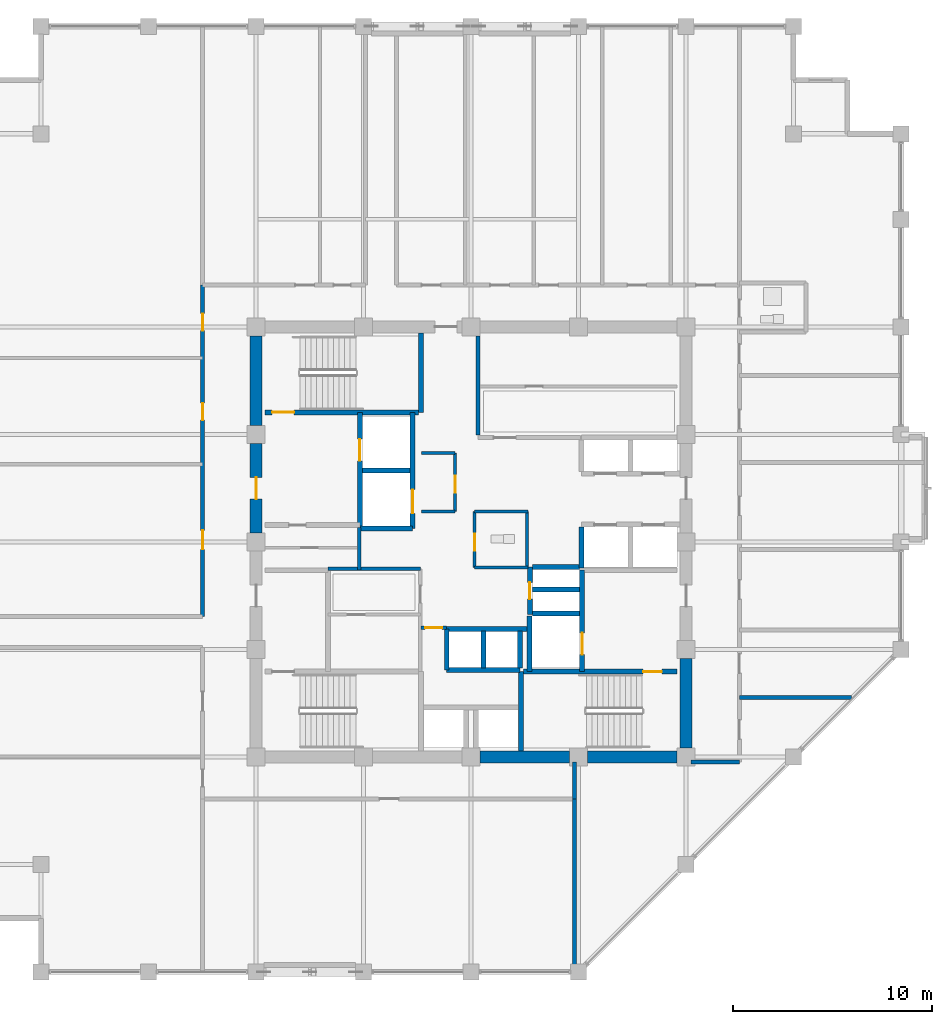
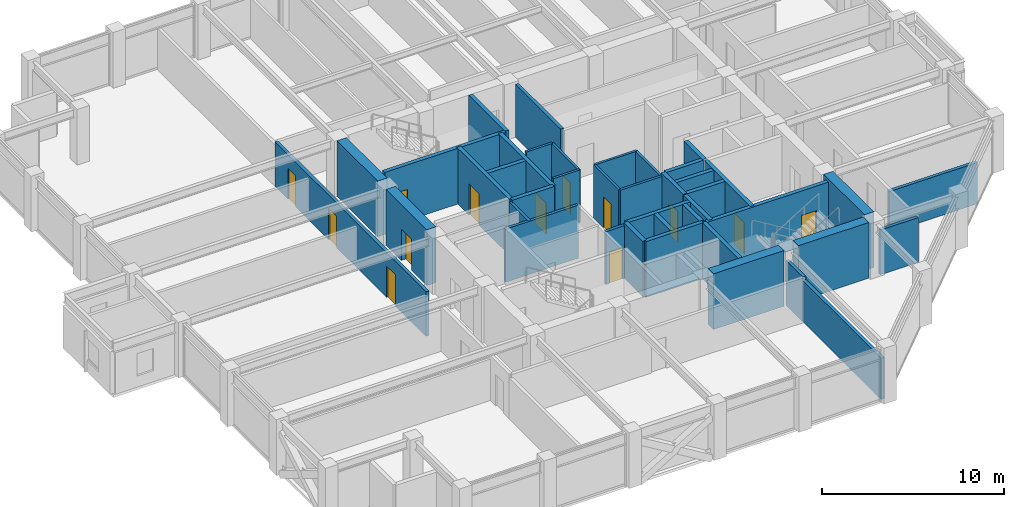
# One storey, part 23 of 28: 41 walls, 13 doors, 13 openings.
"""IFC4 building model written with IfcOpenShell, lengths in metres."""

import ifcopenshell
import ifcopenshell.guid

model = None  # the IFC model being written
_history = None  # IfcOwnerHistory: only IFC2X3 demands one
_inside = {}  # id of a spatial element -> (the spatial element, [elements in it])
_under = {}  # id of a project, library or spatial element -> (it, [spatial elements below it])
_declared = {}  # id of a project -> (the project, [libraries it declares])
_typed = {}  # id of a type object -> (the type object, [elements of that type])
_made_of = {}  # id of a material, layer set ... -> (it, [elements and type objects made of it])


def new_model(schema):
    """Start an empty IFC model of exactly this schema.

    Asked for "IFC4X3", IfcOpenShell would pick the latest addendum, in which some entities
    have other attributes; the version numbers below select the first issue.
    IFC2X3 requires an IfcOwnerHistory on every rooted entity: one is made here for all.
    """
    global model, _history
    if schema == "IFC4X3":
        model = ifcopenshell.file(schema_version=(4, 3, 0, 0))
    else:
        model = ifcopenshell.file(schema=schema)
    _inside.clear()
    _under.clear()
    _declared.clear()
    _typed.clear()
    _made_of.clear()
    _history = None
    if model.schema == "IFC2X3":
        org = make("IfcOrganization", Name="unknown")
        user = make(
            "IfcPersonAndOrganization",
            ThePerson=make("IfcPerson", FamilyName="unknown"),
            TheOrganization=org,
        )
        app = make(
            "IfcApplication",
            ApplicationDeveloper=org,
            Version="unknown",
            ApplicationFullName="unknown",
            ApplicationIdentifier="unknown",
        )
        _history = make(
            "IfcOwnerHistory",
            OwningUser=user,
            OwningApplication=app,
            ChangeAction="ADDED",
            CreationDate=0,
        )
    return model


def make(cls, **values):
    """One entity of the class cls with the attributes given. An attribute that is None is left unset."""
    return model.create_entity(
        cls, **{name: value for name, value in values.items() if value is not None}
    )


def rooted(cls, **values):
    """An entity with a GlobalId (a new one), such as an element, a storey or a relation."""
    return make(cls, GlobalId=ifcopenshell.guid.new(), OwnerHistory=_history, **values)


def si_unit(unit_type, name, prefix=None):
    """IfcSIUnit, for example si_unit("LENGTHUNIT", "METRE", prefix="MILLI")."""
    return make("IfcSIUnit", UnitType=unit_type, Prefix=prefix, Name=name)


def assignment(units):
    """IfcUnitAssignment: the units of a project."""
    return None if units is None else make("IfcUnitAssignment", Units=units)


def point(xyz):
    """IfcCartesianPoint."""
    return None if xyz is None else make("IfcCartesianPoint", Coordinates=xyz)


def direction(xyz):
    """IfcDirection."""
    return None if xyz is None else make("IfcDirection", DirectionRatios=xyz)


def frame(location, z_axis=None, x_axis=None):
    """IfcAxis2Placement3D, a coordinate frame: its origin and axes. An axis left out is left unset."""
    return make(
        "IfcAxis2Placement3D",
        Location=point(location),
        Axis=direction(z_axis),
        RefDirection=direction(x_axis),
    )


def frame_2d(location, x_axis=None):
    """IfcAxis2Placement2D, a coordinate frame in the plane: its origin and x axis."""
    return make(
        "IfcAxis2Placement2D", Location=point(location), RefDirection=direction(x_axis)
    )


def origin():
    """The frame at (0, 0, 0) with its axes left unset."""
    return frame((0.0, 0.0, 0.0))


def place(relative_to, where):
    """IfcLocalPlacement: puts the frame where relative to a parent placement (None: the world)."""
    return make(
        "IfcLocalPlacement", PlacementRelTo=relative_to, RelativePlacement=where
    )


def context(
    kind, dimensions, precision=None, world=None, true_north=None, identifier=None
):
    """IfcGeometricRepresentationContext, for example the 3D "Model" context."""
    return make(
        "IfcGeometricRepresentationContext",
        ContextIdentifier=identifier,
        ContextType=kind,
        CoordinateSpaceDimension=dimensions,
        Precision=precision,
        WorldCoordinateSystem=world,
        TrueNorth=true_north,
    )


def subcontext(parent, identifier, kind, view, scale=None):
    """IfcGeometricRepresentationSubContext, for example "Body" below "Model"."""
    return make(
        "IfcGeometricRepresentationSubContext",
        ContextIdentifier=identifier,
        ContextType=kind,
        ParentContext=parent,
        TargetScale=scale,
        TargetView=view,
    )


def project(units=None, contexts=None):
    """IfcProject with its units and contexts."""
    return rooted(
        "IfcProject",
        Name="project",
        RepresentationContexts=contexts,
        UnitsInContext=assignment(units),
    )


def spatial(cls, under=None, at=None, **own):
    """A site, building, storey or space (cls), placed at a placement, below another one or the project."""
    s = rooted(cls, ObjectPlacement=at, **own)
    if under is not None:
        _under.setdefault(under.id(), (under, []))[1].append(s)
    return s


def profile(cls, at=None, kind="AREA", **sizes):
    """A parametric profile (cls). Its sizes go by their IFC names, for example OverallWidth=200.0."""
    return make(cls, ProfileType=kind, Position=at, **sizes)


def rectangle(**sizes):
    """IfcRectangleProfileDef."""
    return profile("IfcRectangleProfileDef", **sizes)


def extrude(swept, where, along, depth):
    """IfcExtrudedAreaSolid: the profile swept, set in the frame where, extruded along a direction by depth."""
    return make(
        "IfcExtrudedAreaSolid",
        SweptArea=swept,
        Position=where,
        ExtrudedDirection=direction(along),
        Depth=depth,
    )


def shape(context_of_items, identifier, shape_type, items):
    """IfcShapeRepresentation: the items that make up one representation, for example the "Body"."""
    return make(
        "IfcShapeRepresentation",
        ContextOfItems=context_of_items,
        RepresentationIdentifier=identifier,
        RepresentationType=shape_type,
        Items=items,
    )


def material(Name=None, Category=None):
    """IfcMaterial."""
    return make("IfcMaterial", Name=Name, Category=Category)


def layer(
    of_material, thickness, ventilated=None, Name=None, Category=None, Priority=None
):
    """IfcMaterialLayer: one layer of a wall or slab, of a material (None: an air gap)."""
    return make(
        "IfcMaterialLayer",
        Material=of_material,
        LayerThickness=thickness,
        IsVentilated=ventilated,
        Name=Name,
        Category=Category,
        Priority=Priority,
    )


def layer_set(layers, Name=None):
    """IfcMaterialLayerSet."""
    return make("IfcMaterialLayerSet", MaterialLayers=layers, LayerSetName=Name)


def made_of(thing, what):
    """Note that an element or type object is made of a material, layer set ...; save() writes the relation."""
    if what is not None:
        _made_of.setdefault(what.id(), (what, []))[1].append(thing)
    return thing


def type_object(cls, material=None, **own):
    """A type object (cls), such as IfcWallType, which elements share."""
    return made_of(rooted(cls, **own), material)


def element(
    cls,
    number,
    at=None,
    inside=None,
    cuts=None,
    type_object=None,
    material=None,
    context=None,
    identifier="Body",
    shape_type=None,
    held_by="IfcProductDefinitionShape",
    body=None,
    shapes=None,
    **own,
):
    """One element of the class cls, such as IfcWall. Its Tag is "e" and its number.

    at: its placement. inside: the storey or other place that contains it. cuts: it is an
    opening in that element (IfcRelVoidsElement). A single representation is given by context,
    identifier, shape_type and body (its items); several are given by shapes. held_by: the class
    of the entity that holds the representations. save() writes the other relations.
    """
    e = rooted(cls, Tag="e%d" % number, ObjectPlacement=at, **own)
    if body is not None:
        shapes = [shape(context, identifier, shape_type, body)]
    if shapes is not None:
        e.Representation = make(held_by, Representations=shapes)
    if inside is not None:
        _inside.setdefault(inside.id(), (inside, []))[1].append(e)
    if cuts is not None:
        rooted(
            "IfcRelVoidsElement", RelatingBuildingElement=cuts, RelatedOpeningElement=e
        )
    if type_object is not None:
        _typed.setdefault(type_object.id(), (type_object, []))[1].append(e)
    return made_of(e, material)


def fill(opening, filler):
    """IfcRelFillsElement: the door or window that sits in an opening."""
    return rooted(
        "IfcRelFillsElement",
        RelatingOpeningElement=opening,
        RelatedBuildingElement=filler,
    )


def aggregate(whole, parts):
    """IfcRelAggregates: a whole, such as a stair, and the parts it consists of."""
    return rooted("IfcRelAggregates", RelatingObject=whole, RelatedObjects=parts)


def save(model, path):
    """Write the relations noted so far, then the file.

    IfcRelAggregates (storeys below a building ...), IfcRelContainedInSpatialStructure (elements
    in a storey), IfcRelDefinesByType, IfcRelAssociatesMaterial and IfcRelDeclares: one each for
    every whole, place, type object, material and project.
    """
    for whole, parts in _under.values():
        aggregate(whole, parts)
    for where, things in _inside.values():
        rooted(
            "IfcRelContainedInSpatialStructure",
            RelatedElements=things,
            RelatingStructure=where,
        )
    for kind, things in _typed.values():
        rooted("IfcRelDefinesByType", RelatedObjects=things, RelatingType=kind)
    for what, things in _made_of.values():
        rooted("IfcRelAssociatesMaterial", RelatedObjects=things, RelatingMaterial=what)
    for by, libraries in _declared.values():
        rooted("IfcRelDeclares", RelatingContext=by, RelatedDefinitions=libraries)
    model.write(path)


model = new_model("IFC4")

# Units and contexts
model_context = context("Model", 3, precision=1e-05, world=origin(), true_north=direction((0.0, 1.0)))
body_context = subcontext(model_context, "Body", "Model", "MODEL_VIEW")
ifc_project = project(units=[si_unit("LENGTHUNIT", "METRE"), si_unit("AREAUNIT", "SQUARE_METRE"), si_unit("VOLUMEUNIT", "CUBIC_METRE"), si_unit("PLANEANGLEUNIT", "RADIAN"), si_unit("MASSUNIT", "GRAM", prefix="KILO")], contexts=[model_context])

# Site, building, storey
site_placement = place(None, origin())
site = spatial("IfcSite", under=ifc_project, at=site_placement, CompositionType="ELEMENT")
building_placement = place(site_placement, origin())
building = spatial("IfcBuilding", under=site, at=building_placement, Name="Surkhivell Harbour Commons", CompositionType="ELEMENT")
storey_placement = place(building_placement, frame((0.0, 0.0, 242.25)))
storey = spatial("IfcBuildingStorey", under=building, at=storey_placement, Name="L63", CompositionType="ELEMENT", Elevation=242.25)

# Walls
ifc_material_1 = material(Name="Concrete C60/75", Category="concrete")
ifc_layer_1 = layer(ifc_material_1, 0.60009765625)
ifc_layer_set_1 = layer_set([ifc_layer_1], Name="Concrete C60/75")
wall_type_1 = type_object("IfcWallType", Name="WAL-CORE-600", PredefinedType="SHEAR", material=ifc_layer_set_1)
for number, where, z_axis, x_axis, name in (
    (1, (10.800048828125, -10.340087890625, 0.0), (0.0, 0.0, 1.0), (0.0, 1.0, 0.0), "L63 Core Shear Wall East 1"),
    (2, (0.4599609375, -10.800048828125, 0.0), (0.0, 0.0, 1.0), (1.0, 0.0, 0.0), "L63 Core Shear Wall South 3"),
):
    element("IfcWall", number, at=place(storey_placement, frame(where, z_axis=z_axis, x_axis=x_axis)), inside=storey, type_object=wall_type_1, Name=name, PredefinedType="SHEAR", context=body_context, shape_type="SweptSolid", body=[
        extrude(rectangle(XDim=4.47998046875, YDim=0.60009765625, at=frame_2d((2.239990234375, 0.0))), origin(), (0.0, 0.0, 1.0), 3.75),
    ])

# Wall, opening, door
wall_1_placement = place(storey_placement, frame((-10.800048828125, 0.4599609375, 0.0), z_axis=(0.0, 0.0, 1.0), x_axis=(0.0, 1.0, 0.0)))
wall_1 = element("IfcWall", 3, at=wall_1_placement, inside=storey, type_object=wall_type_1, Name="L63 Core Shear Wall West 3", PredefinedType="SHEAR", context=body_context, shape_type="SweptSolid", body=[
    extrude(rectangle(XDim=4.47998046875, YDim=0.60009765625, at=frame_2d((2.239990234375, 0.0))), origin(), (0.0, 0.0, 1.0), 3.75),
])
opening_1_placement = place(wall_1_placement, frame((1.68994140625, 0.0, 0.0)))
opening_1 = element("IfcOpeningElement", 4, at=opening_1_placement, cuts=wall_1, Name="Opening ID-1", PredefinedType="OPENING", context=body_context, shape_type="SweptSolid", body=[
    extrude(rectangle(XDim=1.10009765625, YDim=2.10009765625, at=frame_2d((0.550048828125, 1.050048828125))), frame((0.0, 0.31005859375, 0.0), z_axis=(0.0, -1.0, 0.0), x_axis=(1.0, 0.0, 0.0)), (0.0, 0.0, 1.0), 0.6201171875),
])
ifc_material_2 = material(Name="Hardwood-veneered fire-rated door leaf", Category="wood")
door_type_1 = type_object("IfcDoorType", Name="DOR-FD120-1100", OperationType="NOTDEFINED", PredefinedType="DOOR", material=ifc_material_2)
door_1_placement = place(opening_1_placement, origin())
door_1 = element("IfcDoor", 5, at=door_1_placement, inside=storey, type_object=door_type_1, Name="L63 Firefighting Lobby 1 Corridor Door", OperationType="SINGLE_SWING_LEFT", OverallHeight=2.10009765625, OverallWidth=1.10009765625, PredefinedType="DOOR", context=body_context, shape_type="SweptSolid", body=[
    extrude(rectangle(XDim=1.10009765625, YDim=2.10009765625, at=frame_2d((0.550048828125, 1.050048828125))), frame((0.0, 0.02490234375, 0.0), z_axis=(0.0, -1.0, 0.0), x_axis=(1.0, 0.0, 0.0)), (0.0, 0.0, 1.0), 0.050048828125),
])
fill(opening_1, door_1)

# Walls
for number, where, z_axis, x_axis, name in (
    (6, (5.860107421875, -10.800048828125, 0.0), (0.0, 0.0, 1.0), (1.0, 0.0, 0.0), "L63 Core Shear Wall South 4"),
    (7, (-10.800048828125, 5.860107421875, 0.0), (0.0, 0.0, 1.0), (0.0, 1.0, 0.0), "L63 Core Shear Wall West 4"),
):
    element("IfcWall", number, at=place(storey_placement, frame(where, z_axis=z_axis, x_axis=x_axis)), inside=storey, type_object=wall_type_1, Name=name, PredefinedType="SHEAR", context=body_context, shape_type="SweptSolid", body=[
        extrude(rectangle(XDim=4.47998046875, YDim=0.60009765625, at=frame_2d((2.239990234375, 0.0))), origin(), (0.0, 0.0, 1.0), 3.75),
    ])
ifc_material_3 = material(Name="Twin-stud acoustic fireboard partition", Category="other")
ifc_layer_2 = layer(ifc_material_3, 0.14990234375)
ifc_layer_set_2 = layer_set([ifc_layer_2], Name="Twin-stud acoustic fireboard partition")
wall_type_2 = type_object("IfcWallType", Name="WAL-INT-150", PredefinedType="PARTITIONING", material=ifc_layer_set_2)
wall_2_placement = place(storey_placement, frame((2.820068359375, -1.25, 0.0), z_axis=(0.0, 0.0, 1.0), x_axis=(0.0, 1.0, 0.0)))
element("IfcWall", 8, at=wall_2_placement, inside=storey, type_object=wall_type_2, Name="L63 Core WC East Wall", PredefinedType="PARTITIONING", context=body_context, shape_type="SweptSolid", body=[
    extrude(rectangle(XDim=2.77001953125, YDim=0.14990234375, at=frame_2d((1.385009765625, 0.0))), origin(), (0.0, 0.0, 1.0), 3.570068359375),
])
for number, where, z_axis, x_axis, name in (
    (9, (0.179931640625, 1.52001953125, 0.0), (0.0, 0.0, 1.0), (1.0, 0.0, 0.0), "L63 Core WC North Wall"),
    (10, (0.179931640625, -1.280029296875, 0.0), (0.0, 0.0, 1.0), (1.0, 0.0, 0.0), "L63 Core WC South Wall"),
):
    element("IfcWall", number, at=place(storey_placement, frame(where, z_axis=z_axis, x_axis=x_axis)), inside=storey, type_object=wall_type_2, Name=name, PredefinedType="PARTITIONING", context=body_context, shape_type="SweptSolid", body=[
        extrude(rectangle(XDim=2.670166015625, YDim=0.14990234375, at=frame_2d((1.3349609375, 0.0))), origin(), (0.0, 0.0, 1.0), 3.570068359375),
    ])

# Wall, opening, door
wall_3_placement = place(storey_placement, frame((0.179931640625, -1.280029296875, 0.0), z_axis=(0.0, 0.0, 1.0), x_axis=(0.0, 1.0, 0.0)))
wall_3 = element("IfcWall", 11, at=wall_3_placement, inside=storey, type_object=wall_type_2, Name="L63 Core Accessible WC West Wall", PredefinedType="PARTITIONING", context=body_context, shape_type="SweptSolid", body=[
    extrude(rectangle(XDim=2.800048828125, YDim=0.14990234375, at=frame_2d((1.39990234375, 0.0))), origin(), (0.0, 0.0, 1.0), 3.570068359375),
])
opening_2_placement = place(wall_3_placement, frame((0.85009765625, 0.0, 0.0)))
opening_2 = element("IfcOpeningElement", 12, at=opening_2_placement, cuts=wall_3, Name="Opening ID-6", PredefinedType="OPENING", context=body_context, shape_type="SweptSolid", body=[
    extrude(rectangle(XDim=0.85009765625, YDim=2.10009765625, at=frame_2d((0.425048828125, 1.050048828125))), frame((0.0, 0.0849609375, 0.0), z_axis=(0.0, -1.0, 0.0), x_axis=(1.0, 0.0, 0.0)), (0.0, 0.0, 1.0), 0.169921875),
])
door_type_2 = type_object("IfcDoorType", Name="DOR-FD30-850", OperationType="NOTDEFINED", PredefinedType="DOOR", material=ifc_material_2)
door_2_placement = place(opening_2_placement, origin())
door_2 = element("IfcDoor", 13, at=door_2_placement, inside=storey, type_object=door_type_2, Name="L63 Floor Accessible WC Door", OperationType="SINGLE_SWING_RIGHT", OverallHeight=2.10009765625, OverallWidth=0.85009765625, PredefinedType="DOOR", context=body_context, shape_type="SweptSolid", body=[
    extrude(rectangle(XDim=0.85009765625, YDim=2.10009765625, at=frame_2d((0.425048828125, 1.050048828125))), frame((0.0, 0.02490234375, 0.0), z_axis=(0.0, -1.0, 0.0), x_axis=(1.0, 0.0, 0.0)), (0.0, 0.0, 1.0), 0.050048828125),
])
fill(opening_2, door_2)

wall_4_placement = place(storey_placement, frame((-0.800048828125, 1.52001953125, 0.0), z_axis=(0.0, 0.0, 1.0), x_axis=(0.0, 1.0, 0.0)))
wall_4 = element("IfcWall", 14, at=wall_4_placement, inside=storey, type_object=wall_type_2, Name="L63 Core Seminar East Wall", PredefinedType="PARTITIONING", context=body_context, shape_type="SweptSolid", body=[
    extrude(rectangle(XDim=2.9599609375, YDim=0.14990234375, at=frame_2d((1.47998046875, 0.0))), origin(), (0.0, 0.0, 1.0), 3.570068359375),
])
opening_3_placement = place(wall_4_placement, frame((0.949951171875, 0.0, 0.0)))
opening_3 = element("IfcOpeningElement", 15, at=opening_3_placement, cuts=wall_4, Name="Opening ID-6", PredefinedType="OPENING", context=body_context, shape_type="SweptSolid", body=[
    extrude(rectangle(XDim=0.85009765625, YDim=2.10009765625, at=frame_2d((0.425048828125, 1.050048828125))), frame((0.0, 0.0849609375, 0.0), z_axis=(0.0, -1.0, 0.0), x_axis=(1.0, 0.0, 0.0)), (0.0, 0.0, 1.0), 0.169921875),
])
door_3_placement = place(opening_3_placement, origin())
door_3 = element("IfcDoor", 16, at=door_3_placement, inside=storey, type_object=door_type_2, Name="L63 Central Seminar Door", OperationType="SINGLE_SWING_LEFT", OverallHeight=2.10009765625, OverallWidth=0.85009765625, PredefinedType="DOOR", context=body_context, shape_type="SweptSolid", body=[
    extrude(rectangle(XDim=0.85009765625, YDim=2.10009765625, at=frame_2d((0.425048828125, 1.050048828125))), frame((0.0, 0.02490234375, 0.0), z_axis=(0.0, -1.0, 0.0), x_axis=(1.0, 0.0, 0.0)), (0.0, 0.0, 1.0), 0.050048828125),
])
fill(opening_3, door_3)

# Walls
for number, where, z_axis, x_axis, name in (
    (17, (-2.47998046875, 4.47998046875, 0.0), (0.0, 0.0, 1.0), (1.0, 0.0, 0.0), "L63 Core Seminar North Wall"),
    (18, (-2.47998046875, 1.52001953125, 0.0), (0.0, 0.0, 1.0), (1.0, 0.0, 0.0), "L63 Core Seminar South Wall"),
):
    element("IfcWall", number, at=place(storey_placement, frame(where, z_axis=z_axis, x_axis=x_axis)), inside=storey, type_object=wall_type_2, Name=name, PredefinedType="PARTITIONING", context=body_context, shape_type="SweptSolid", body=[
        extrude(rectangle(XDim=1.679931640625, YDim=0.14990234375, at=frame_2d((0.83984375, 0.0))), origin(), (0.0, 0.0, 1.0), 3.570068359375),
    ])
ifc_material_4 = material(Name="High-density acoustic blockwork fire partition", Category="masonry")
ifc_layer_3 = layer(ifc_material_4, 0.175048828125)
ifc_layer_set_3 = layer_set([ifc_layer_3], Name="High-density acoustic blockwork fire partition")
wall_type_3 = type_object("IfcWallType", Name="WAL-INT-175", PredefinedType="PARTITIONING", material=ifc_layer_set_3)
wall_5_placement = place(storey_placement, frame((-7.179931640625, -1.35009765625, 0.0), z_axis=(0.0, 0.0, 1.0), x_axis=(1.0, 0.0, 0.0)))
element("IfcWall", 19, at=wall_5_placement, inside=storey, type_object=wall_type_3, Name="L63 Core Service Bay North Wall", PredefinedType="PARTITIONING", context=body_context, shape_type="SweptSolid", body=[
    extrude(rectangle(XDim=4.6298828125, YDim=0.175048828125, at=frame_2d((2.31494140625, 0.0))), origin(), (0.0, 0.0, 1.0), 3.570068359375),
])
wall_6_placement = place(storey_placement, frame((-5.6201171875, -1.419921875, 0.0), z_axis=(0.0, 0.0, 1.0), x_axis=(0.0, 1.0, 0.0)))
element("IfcWall", 20, at=wall_6_placement, inside=storey, type_object=wall_type_3, Name="L63 West Core Bay East Wall", PredefinedType="PARTITIONING", context=body_context, shape_type="SweptSolid", body=[
    extrude(rectangle(XDim=2.139892578125, YDim=0.175048828125, at=frame_2d((1.06982421875, 0.0))), origin(), (0.0, 0.0, 1.0), 3.570068359375),
])

# Wall, opening, door
wall_7_placement = place(storey_placement, frame((-2.52001953125, -4.320068359375, 0.0), z_axis=(0.0, 0.0, 1.0), x_axis=(1.0, 0.0, 0.0)))
wall_7 = element("IfcWall", 21, at=wall_7_placement, inside=storey, type_object=wall_type_3, Name="L63 High-Rise Lobby North Portal Wall", PredefinedType="PARTITIONING", context=body_context, shape_type="SweptSolid", body=[
    extrude(rectangle(XDim=1.300048828125, YDim=0.175048828125, at=frame_2d((0.64990234375, 0.0))), origin(), (0.0, 0.0, 1.0), 3.570068359375),
])
opening_4_placement = place(wall_7_placement, frame((0.219970703125, 0.0, 0.0)))
opening_4 = element("IfcOpeningElement", 22, at=opening_4_placement, cuts=wall_7, Name="Opening ID-6", PredefinedType="OPENING", context=body_context, shape_type="SweptSolid", body=[
    extrude(rectangle(XDim=0.85009765625, YDim=2.10009765625, at=frame_2d((0.425048828125, 1.050048828125))), frame((0.0, 0.097412109375, 0.0), z_axis=(0.0, -1.0, 0.0), x_axis=(1.0, 0.0, 0.0)), (0.0, 0.0, 1.0), 0.195068359375),
])
door_4_placement = place(opening_4_placement, origin())
door_4 = element("IfcDoor", 23, at=door_4_placement, inside=storey, type_object=door_type_2, Name="L63 High-Rise Lift Lobby North Door", OperationType="SINGLE_SWING_LEFT", OverallHeight=2.10009765625, OverallWidth=0.85009765625, PredefinedType="DOOR", context=body_context, shape_type="SweptSolid", body=[
    extrude(rectangle(XDim=0.85009765625, YDim=2.10009765625, at=frame_2d((0.425048828125, 1.050048828125))), frame((0.0, 0.02490234375, 0.0), z_axis=(0.0, -1.0, 0.0), x_axis=(1.0, 0.0, 0.0)), (0.0, 0.0, 1.0), 0.050048828125),
])
fill(opening_4, door_4)

# Walls
ifc_material_5 = material(Name="Autoclaved aerated concrete blockwork and fire plaster", Category="masonry")
ifc_layer_4 = layer(ifc_material_5, 0.199951171875)
ifc_layer_set_4 = layer_set([ifc_layer_4], Name="Autoclaved aerated concrete blockwork and fire plaster")
wall_type_4 = type_object("IfcWallType", Name="WAL-INT-200", PredefinedType="PARTITIONING", material=ifc_layer_set_4)
wall_8_placement = place(storey_placement, frame((0.35009765625, 5.360107421875, 0.0), z_axis=(0.0, 0.0, 1.0), x_axis=(0.0, 1.0, 0.0)))
element("IfcWall", 24, at=wall_8_placement, inside=storey, type_object=wall_type_4, Name="L63 Reclaimed Core North Bay West Wall", PredefinedType="PARTITIONING", context=body_context, shape_type="SweptSolid", body=[
    extrude(rectangle(XDim=4.97998046875, YDim=0.199951171875, at=frame_2d((2.489990234375, 0.0))), origin(), (0.0, 0.0, 1.0), 3.570068359375),
])
wall_9_placement = place(storey_placement, frame((5.199951171875, -21.5400390625, 0.0), z_axis=(0.0, 0.0, 1.0), x_axis=(0.0, 1.0, 0.0)))
element("IfcWall", 25, at=wall_9_placement, inside=storey, type_object=wall_type_4, Name="L63 South-East Corner Wall", PredefinedType="PARTITIONING", context=body_context, shape_type="SweptSolid", body=[
    extrude(rectangle(XDim=8.64013671875, YDim=0.199951171875, at=frame_2d((4.320068359375, 0.0))), origin(), (0.0, 0.0, 1.0), 2.780029296875),
])
wall_10_placement = place(storey_placement, frame((11.0400390625, -11.0400390625, 0.0), z_axis=(0.0, 0.0, 1.0), x_axis=(1.0, 0.0, 0.0)))
element("IfcWall", 26, at=wall_10_placement, inside=storey, type_object=wall_type_4, Name="L63 Corridor East South Closure Wall", PredefinedType="PARTITIONING", context=body_context, shape_type="SweptSolid", body=[
    extrude(rectangle(XDim=2.43994140625, YDim=0.199951171875, at=frame_2d((1.219970703125, 0.0))), origin(), (0.0, 0.0, 1.0), 3.006103515625),
])
wall_11_placement = place(storey_placement, frame((5.199951171875, -12.89990234375, 0.0), z_axis=(0.0, 0.0, 1.0), x_axis=(0.0, 1.0, 0.0)))
element("IfcWall", 27, at=wall_11_placement, inside=storey, type_object=wall_type_4, Name="L63 Corridor South End Wall", PredefinedType="PARTITIONING", context=body_context, shape_type="SweptSolid", body=[
    extrude(rectangle(XDim=1.85986328125, YDim=0.199951171875, at=frame_2d((0.929931640625, 0.0))), origin(), (0.0, 0.0, 1.0), 3.006103515625),
])

# Wall, openings, doors
wall_12_placement = place(storey_placement, frame((-13.47998046875, -3.75, 0.0), z_axis=(0.0, 0.0, 1.0), x_axis=(0.0, 1.0, 0.0)))
wall_12 = element("IfcWall", 28, at=wall_12_placement, inside=storey, type_object=wall_type_4, Name="L63 Corridor West-Upper Wall", PredefinedType="PARTITIONING", context=body_context, shape_type="SweptSolid", body=[
    extrude(rectangle(XDim=16.64990234375, YDim=0.199951171875, at=frame_2d((8.324951171875, 0.0))), origin(), (0.0, 0.0, 1.0), 3.006103515625),
])
opening_5_placement = place(wall_12_placement, frame((3.3798828125, 0.0, 0.0)))
opening_5 = element("IfcOpeningElement", 29, at=opening_5_placement, cuts=wall_12, Name="Opening ID-4", PredefinedType="OPENING", context=body_context, shape_type="SweptSolid", body=[
    extrude(rectangle(XDim=0.949951171875, YDim=2.10009765625, at=frame_2d((0.47509765625, 1.050048828125))), frame((0.0, 0.10986328125, 0.0), z_axis=(0.0, -1.0, 0.0), x_axis=(1.0, 0.0, 0.0)), (0.0, 0.0, 1.0), 0.219970703125),
])
opening_6_placement = place(wall_12_placement, frame((9.875, 0.0, 0.0)))
opening_6 = element("IfcOpeningElement", 30, at=opening_6_placement, cuts=wall_12, Name="Opening ID-6", PredefinedType="OPENING", context=body_context, shape_type="SweptSolid", body=[
    extrude(rectangle(XDim=0.85009765625, YDim=2.10009765625, at=frame_2d((0.425048828125, 1.050048828125))), frame((0.0, 0.10986328125, 0.0), z_axis=(0.0, -1.0, 0.0), x_axis=(1.0, 0.0, 0.0)), (0.0, 0.0, 1.0), 0.219970703125),
])
opening_7_placement = place(wall_12_placement, frame((14.3701171875, 0.0, 0.0)))
opening_7 = element("IfcOpeningElement", 31, at=opening_7_placement, cuts=wall_12, Name="Opening ID-6", PredefinedType="OPENING", context=body_context, shape_type="SweptSolid", body=[
    extrude(rectangle(XDim=0.85009765625, YDim=2.10009765625, at=frame_2d((0.425048828125, 1.050048828125))), frame((0.0, 0.10986328125, 0.0), z_axis=(0.0, -1.0, 0.0), x_axis=(1.0, 0.0, 0.0)), (0.0, 0.0, 1.0), 0.219970703125),
])
door_5_placement = place(opening_6_placement, origin())
door_5 = element("IfcDoor", 32, at=door_5_placement, inside=storey, type_object=door_type_2, Name="L63 Resident Social Lounge 2 North-West Door", OperationType="SINGLE_SWING_LEFT", OverallHeight=2.10009765625, OverallWidth=0.85009765625, PredefinedType="DOOR", context=body_context, shape_type="SweptSolid", body=[
    extrude(rectangle(XDim=0.85009765625, YDim=2.10009765625, at=frame_2d((0.425048828125, 1.050048828125))), frame((0.0, 0.02490234375, 0.0), z_axis=(0.0, -1.0, 0.0), x_axis=(1.0, 0.0, 0.0)), (0.0, 0.0, 1.0), 0.050048828125),
])
fill(opening_6, door_5)
door_6_placement = place(opening_7_placement, origin())
door_6 = element("IfcDoor", 33, at=door_6_placement, inside=storey, type_object=door_type_2, Name="L63 Resident Social Lounge 3 North-West Door", OperationType="SINGLE_SWING_RIGHT", OverallHeight=2.10009765625, OverallWidth=0.85009765625, PredefinedType="DOOR", context=body_context, shape_type="SweptSolid", body=[
    extrude(rectangle(XDim=0.85009765625, YDim=2.10009765625, at=frame_2d((0.425048828125, 1.050048828125))), frame((0.0, 0.02490234375, 0.0), z_axis=(0.0, -1.0, 0.0), x_axis=(1.0, 0.0, 0.0)), (0.0, 0.0, 1.0), 0.050048828125),
])
fill(opening_7, door_6)
door_type_3 = type_object("IfcDoorType", Name="DOR-FD60-950", OperationType="NOTDEFINED", PredefinedType="DOOR", material=ifc_material_2)
door_7_placement = place(opening_5_placement, origin())
door_7 = element("IfcDoor", 34, at=door_7_placement, inside=storey, type_object=door_type_3, Name="L63 Harbour Social Lounge North-West Door", OperationType="SINGLE_SWING_RIGHT", OverallHeight=2.10009765625, OverallWidth=0.949951171875, PredefinedType="DOOR", context=body_context, shape_type="SweptSolid", body=[
    extrude(rectangle(XDim=0.949951171875, YDim=2.10009765625, at=frame_2d((0.47509765625, 1.050048828125))), frame((0.0, 0.02490234375, 0.0), z_axis=(0.0, -1.0, 0.0), x_axis=(1.0, 0.0, 0.0)), (0.0, 0.0, 1.0), 0.050048828125),
])
fill(opening_5, door_7)

# Wall
wall_13_placement = place(storey_placement, frame((13.47998046875, -7.800048828125, 0.0), z_axis=(0.0, 0.0, 1.0), x_axis=(1.0, 0.0, 0.0)))
element("IfcWall", 35, at=wall_13_placement, inside=storey, type_object=wall_type_4, Name="L63 East Partition PBOT", PredefinedType="PARTITIONING", context=body_context, shape_type="SweptSolid", body=[
    extrude(rectangle(XDim=5.63525390625, YDim=0.199951171875, at=frame_2d((2.817626953125, 0.0))), origin(), (0.0, 0.0, 1.0), 2.780029296875),
])

# Wall, opening, door
ifc_material_6 = material(Name="Concrete C50/60", Category="concrete")
ifc_layer_5 = layer(ifc_material_6, 0.25)
ifc_layer_set_5 = layer_set([ifc_layer_5], Name="Concrete C50/60")
wall_type_5 = type_object("IfcWallType", Name="WAL-SHAFT-250", PredefinedType="SHEAR", material=ifc_layer_set_5)
wall_14_placement = place(storey_placement, frame((-5.580078125, 0.719970703125, 0.0), z_axis=(0.0, 0.0, 1.0), x_axis=(0.0, 1.0, 0.0)))
wall_14 = element("IfcWall", 36, at=wall_14_placement, inside=storey, type_object=wall_type_5, Name="L63 Firefighting Lobby 1 East Shaft Wall", PredefinedType="SHEAR", context=body_context, shape_type="SweptSolid", body=[
    extrude(rectangle(XDim=5.7900390625, YDim=0.25, at=frame_2d((2.89501953125, 0.0))), origin(), (0.0, 0.0, 1.0), 3.75),
])
opening_8_placement = place(wall_14_placement, frame((3.35009765625, 0.0, 0.0)))
opening_8 = element("IfcOpeningElement", 37, at=opening_8_placement, cuts=wall_14, Name="Opening LD-1", PredefinedType="OPENING", context=body_context, shape_type="SweptSolid", body=[
    extrude(rectangle(XDim=1.10009765625, YDim=2.10009765625, at=frame_2d((0.550048828125, 1.050048828125))), frame((0.0, 0.135009765625, 0.0), z_axis=(0.0, -1.0, 0.0), x_axis=(1.0, 0.0, 0.0)), (0.0, 0.0, 1.0), 0.27001953125),
])
ifc_material_7 = material(Name="Brushed stainless steel S355", Category="steel")
door_type_4 = type_object("IfcDoorType", Name="DOR-LD-1100", OperationType="SLIDING_TO_LEFT", PredefinedType="DOOR", material=ifc_material_7)
door_8_placement = place(opening_8_placement, origin())
door_8 = element("IfcDoor", 38, at=door_8_placement, inside=storey, type_object=door_type_4, Name="L63 Lift Landing Door LD-FFL1", OperationType="SLIDING_TO_LEFT", OverallHeight=2.10009765625, OverallWidth=1.10009765625, PredefinedType="DOOR", context=body_context, shape_type="SweptSolid", body=[
    extrude(rectangle(XDim=1.10009765625, YDim=2.10009765625, at=frame_2d((0.550048828125, 1.050048828125))), frame((0.0, 0.02490234375, 0.0), z_axis=(0.0, -1.0, 0.0), x_axis=(1.0, 0.0, 0.0)), (0.0, 0.0, 1.0), 0.050048828125),
])
fill(opening_8, door_8)

# Walls
wall_15_placement = place(storey_placement, frame((2.929931640625, -6.510009765625, 0.0), z_axis=(0.0, 0.0, 1.0), x_axis=(0.0, 1.0, 0.0)))
element("IfcWall", 39, at=wall_15_placement, inside=storey, type_object=wall_type_5, Name="L63 FFL2 West Shaft Wall", PredefinedType="SHEAR", context=body_context, shape_type="SweptSolid", body=[
    extrude(rectangle(XDim=2.7900390625, YDim=0.25, at=frame_2d((1.39501953125, 0.0))), origin(), (0.0, 0.0, 1.0), 3.75),
])
wall_16_placement = place(storey_placement, frame((3.080078125, -3.60009765625, 0.0), z_axis=(0.0, 0.0, 1.0), x_axis=(1.0, 0.0, 0.0)))
element("IfcWall", 40, at=wall_16_placement, inside=storey, type_object=wall_type_5, Name="L63 FFL2 North Shaft Wall", PredefinedType="SHEAR", context=body_context, shape_type="SweptSolid", body=[
    extrude(rectangle(XDim=2.369873046875, YDim=0.25, at=frame_2d((1.18505859375, 0.0))), origin(), (0.0, 0.0, 1.0), 3.75),
])

# Wall, opening, door
wall_17_placement = place(storey_placement, frame((5.580078125, -6.510009765625, 0.0), z_axis=(0.0, 0.0, 1.0), x_axis=(0.0, 1.0, 0.0)))
wall_17 = element("IfcWall", 41, at=wall_17_placement, inside=storey, type_object=wall_type_5, Name="L63 Firefighting Lobby 2 West Shaft Wall", PredefinedType="SHEAR", context=body_context, shape_type="SweptSolid", body=[
    extrude(rectangle(XDim=5.090087890625, YDim=0.25, at=frame_2d((2.544921875, 0.0))), origin(), (0.0, 0.0, 1.0), 3.75),
])
opening_9_placement = place(wall_17_placement, frame((0.85009765625, 0.0, 0.0)))
opening_9 = element("IfcOpeningElement", 42, at=opening_9_placement, cuts=wall_17, Name="Opening LD-1", PredefinedType="OPENING", context=body_context, shape_type="SweptSolid", body=[
    extrude(rectangle(XDim=1.10009765625, YDim=2.10009765625, at=frame_2d((0.550048828125, 1.050048828125))), frame((0.0, 0.135009765625, 0.0), z_axis=(0.0, -1.0, 0.0), x_axis=(1.0, 0.0, 0.0)), (0.0, 0.0, 1.0), 0.27001953125),
])
door_9_placement = place(opening_9_placement, origin())
door_9 = element("IfcDoor", 43, at=door_9_placement, inside=storey, type_object=door_type_4, Name="L63 Lift Landing Door LD-FFL2", OperationType="SLIDING_TO_RIGHT", OverallHeight=2.10009765625, OverallWidth=1.10009765625, PredefinedType="DOOR", context=body_context, shape_type="SweptSolid", body=[
    extrude(rectangle(XDim=1.10009765625, YDim=2.10009765625, at=frame_2d((0.550048828125, 1.050048828125))), frame((0.0, 0.02490234375, 0.0), z_axis=(0.0, -1.0, 0.0), x_axis=(1.0, 0.0, 0.0)), (0.0, 0.0, 1.0), 0.050048828125),
])
fill(opening_9, door_9)

# Walls
for number, where, z_axis, x_axis, name in (
    (44, (0.6201171875, -6.340087890625, 0.0), (0.0, 0.0, 1.0), (0.0, 1.0, 0.0), "L63 High-Rise Side Wall N"),
    (45, (2.449951171875, -6.340087890625, 0.0), (0.0, 0.0, 1.0), (0.0, 1.0, 0.0), "L63 High-Rise Side Wall N"),
):
    element("IfcWall", number, at=place(storey_placement, frame(where, z_axis=z_axis, x_axis=x_axis)), inside=storey, type_object=wall_type_5, Name=name, PredefinedType="SHEAR", context=body_context, shape_type="SweptSolid", body=[
        extrude(rectangle(XDim=1.880126953125, YDim=0.25, at=frame_2d((0.93994140625, 0.0))), origin(), (0.0, 0.0, 1.0), 3.75),
    ])
wall_18_placement = place(storey_placement, frame((-1.219970703125, -6.43994140625, 0.0), z_axis=(0.0, 0.0, 1.0), x_axis=(0.0, 1.0, 0.0)))
element("IfcWall", 46, at=wall_18_placement, inside=storey, type_object=wall_type_5, Name="L63 High-Rise Passage East Shaft Wall", PredefinedType="SHEAR", context=body_context, shape_type="SweptSolid", body=[
    extrude(rectangle(XDim=2.079833984375, YDim=0.25, at=frame_2d((1.0400390625, 0.0))), origin(), (0.0, 0.0, 1.0), 3.75),
])
wall_19_placement = place(storey_placement, frame((-1.219970703125, -6.43994140625, 0.0), z_axis=(0.0, 0.0, 1.0), x_axis=(1.0, 0.0, 0.0)))
element("IfcWall", 47, at=wall_19_placement, inside=storey, type_object=wall_type_5, Name="L63 High-Rise North Front Shaft Wall", PredefinedType="SHEAR", context=body_context, shape_type="SweptSolid", body=[
    extrude(rectangle(XDim=3.669921875, YDim=0.25, at=frame_2d((1.8349609375, 0.0))), origin(), (0.0, 0.0, 1.0), 3.75),
])
wall_20_placement = place(storey_placement, frame((-1.219970703125, -4.360107421875, 0.0), z_axis=(0.0, 0.0, 1.0), x_axis=(1.0, 0.0, 0.0)))
element("IfcWall", 48, at=wall_20_placement, inside=storey, type_object=wall_type_5, Name="L63 High-Rise North Back Shaft Wall", PredefinedType="SHEAR", context=body_context, shape_type="SweptSolid", body=[
    extrude(rectangle(XDim=4.030029296875, YDim=0.25, at=frame_2d((2.01513671875, 0.0))), origin(), (0.0, 0.0, 1.0), 3.75),
])
wall_21_placement = place(storey_placement, frame((5.550048828125, -1.300048828125, 0.0), z_axis=(0.0, 0.0, 1.0), x_axis=(0.0, 1.0, 0.0)))
element("IfcWall", 49, at=wall_21_placement, inside=storey, type_object=wall_type_5, Name="L63 Mid-Rise Shaft Side Wall S", PredefinedType="SHEAR", context=body_context, shape_type="SweptSolid", body=[
    extrude(rectangle(XDim=2.0400390625, YDim=0.25, at=frame_2d((1.02001953125, 0.0))), origin(), (0.0, 0.0, 1.0), 3.75),
])
for number, where, z_axis, x_axis, name in (
    (50, (3.080078125, -2.3798828125, 0.0), (0.0, 0.0, 1.0), (1.0, 0.0, 0.0), "L63 Riser Divider Wall"),
    (51, (3.080078125, -1.25, 0.0), (0.0, 0.0, 1.0), (1.0, 0.0, 0.0), "L63 Riser North Wall"),
):
    element("IfcWall", number, at=place(storey_placement, frame(where, z_axis=z_axis, x_axis=x_axis)), inside=storey, type_object=wall_type_5, Name=name, PredefinedType="SHEAR", context=body_context, shape_type="SweptSolid", body=[
        extrude(rectangle(XDim=2.369873046875, YDim=0.25, at=frame_2d((1.18505859375, 0.0))), origin(), (0.0, 0.0, 1.0), 3.75),
    ])

# Wall, opening, door
wall_22_placement = place(storey_placement, frame((2.949951171875, -3.64990234375, 0.0), z_axis=(0.0, 0.0, 1.0), x_axis=(0.0, 1.0, 0.0)))
wall_22 = element("IfcWall", 52, at=wall_22_placement, inside=storey, type_object=wall_type_5, Name="L63 Riser Shaft West Wall", PredefinedType="SHEAR", context=body_context, shape_type="SweptSolid", body=[
    extrude(rectangle(XDim=2.39990234375, YDim=0.25, at=frame_2d((1.199951171875, 0.0))), origin(), (0.0, 0.0, 1.0), 3.75),
])
opening_10_placement = place(wall_22_placement, frame((0.77490234375, 0.0, 0.0)))
opening_10 = element("IfcOpeningElement", 53, at=opening_10_placement, cuts=wall_22, Name="Opening ID-6", PredefinedType="OPENING", context=body_context, shape_type="SweptSolid", body=[
    extrude(rectangle(XDim=0.85009765625, YDim=2.10009765625, at=frame_2d((0.425048828125, 1.050048828125))), frame((0.0, 0.135009765625, 0.0), z_axis=(0.0, -1.0, 0.0), x_axis=(1.0, 0.0, 0.0)), (0.0, 0.0, 1.0), 0.27001953125),
])
door_10_placement = place(opening_10_placement, origin())
door_10 = element("IfcDoor", 54, at=door_10_placement, inside=storey, type_object=door_type_2, Name="L63 Electrical Riser Access Door", OperationType="SINGLE_SWING_LEFT", OverallHeight=2.10009765625, OverallWidth=0.85009765625, PredefinedType="DOOR", context=body_context, shape_type="SweptSolid", body=[
    extrude(rectangle(XDim=0.85009765625, YDim=2.10009765625, at=frame_2d((0.425048828125, 1.050048828125))), frame((0.0, 0.02490234375, 0.0), z_axis=(0.0, -1.0, 0.0), x_axis=(1.0, 0.0, 0.0)), (0.0, 0.0, 1.0), 0.050048828125),
])
fill(opening_10, door_10)

# Wall
wall_23_placement = place(storey_placement, frame((-2.510009765625, 6.510009765625, 0.0), z_axis=(0.0, 0.0, 1.0), x_axis=(0.0, 1.0, 0.0)))
element("IfcWall", 55, at=wall_23_placement, inside=storey, type_object=wall_type_5, Name="L63 Stair ST1 East Shear Wall", PredefinedType="SHEAR", context=body_context, shape_type="SweptSolid", body=[
    extrude(rectangle(XDim=3.989990234375, YDim=0.25, at=frame_2d((1.9951171875, 0.0))), origin(), (0.0, 0.0, 1.0), 3.75),
])

# Wall, opening, door
wall_24_placement = place(storey_placement, frame((-10.340087890625, 6.510009765625, 0.0), z_axis=(0.0, 0.0, 1.0), x_axis=(1.0, 0.0, 0.0)))
wall_24 = element("IfcWall", 56, at=wall_24_placement, inside=storey, type_object=wall_type_5, Name="L63 Stair ST1 South Shear Wall", PredefinedType="SHEAR", context=body_context, shape_type="SweptSolid", body=[
    extrude(rectangle(XDim=7.7001953125, YDim=0.25, at=frame_2d((3.85009765625, 0.0))), origin(), (0.0, 0.0, 1.0), 3.75),
])
opening_11_placement = place(wall_24_placement, frame((0.35009765625, 0.0, 0.0)))
opening_11 = element("IfcOpeningElement", 57, at=opening_11_placement, cuts=wall_24, Name="Opening ID-2", PredefinedType="OPENING", context=body_context, shape_type="SweptSolid", body=[
    extrude(rectangle(XDim=1.10009765625, YDim=2.10009765625, at=frame_2d((0.550048828125, 1.050048828125))), frame((0.0, 0.135009765625, 0.0), z_axis=(0.0, -1.0, 0.0), x_axis=(1.0, 0.0, 0.0)), (0.0, 0.0, 1.0), 0.27001953125),
])
door_type_5 = type_object("IfcDoorType", Name="DOR-FD60-1100", OperationType="NOTDEFINED", PredefinedType="DOOR", material=ifc_material_2)
door_11_placement = place(opening_11_placement, origin())
door_11 = element("IfcDoor", 58, at=door_11_placement, inside=storey, type_object=door_type_5, Name="L63 Stair ST1 Exit Door", OperationType="SINGLE_SWING_LEFT", OverallHeight=2.10009765625, OverallWidth=1.10009765625, PredefinedType="DOOR", context=body_context, shape_type="SweptSolid", body=[
    extrude(rectangle(XDim=1.10009765625, YDim=2.10009765625, at=frame_2d((0.550048828125, 1.050048828125))), frame((0.0, 0.02490234375, 0.0), z_axis=(0.0, -1.0, 0.0), x_axis=(1.0, 0.0, 0.0)), (0.0, 0.0, 1.0), 0.050048828125),
])
fill(opening_11, door_11)

wall_25_placement = place(storey_placement, frame((2.639892578125, -6.510009765625, 0.0), z_axis=(0.0, 0.0, 1.0), x_axis=(1.0, 0.0, 0.0)))
wall_25 = element("IfcWall", 59, at=wall_25_placement, inside=storey, type_object=wall_type_5, Name="L63 Stair ST2 North Shear Wall", PredefinedType="SHEAR", context=body_context, shape_type="SweptSolid", body=[
    extrude(rectangle(XDim=7.7001953125, YDim=0.25, at=frame_2d((3.85009765625, 0.0))), origin(), (0.0, 0.0, 1.0), 3.75),
])
opening_12_placement = place(wall_25_placement, frame((6.0, 0.0, 0.0)))
opening_12 = element("IfcOpeningElement", 60, at=opening_12_placement, cuts=wall_25, Name="Opening ID-4", PredefinedType="OPENING", context=body_context, shape_type="SweptSolid", body=[
    extrude(rectangle(XDim=0.949951171875, YDim=2.10009765625, at=frame_2d((0.47509765625, 1.050048828125))), frame((0.0, 0.135009765625, 0.0), z_axis=(0.0, -1.0, 0.0), x_axis=(1.0, 0.0, 0.0)), (0.0, 0.0, 1.0), 0.27001953125),
])
door_12_placement = place(opening_12_placement, origin())
door_12 = element("IfcDoor", 61, at=door_12_placement, inside=storey, type_object=door_type_3, Name="L63 Stair ST2 Exit Door", OperationType="SINGLE_SWING_RIGHT", OverallHeight=2.10009765625, OverallWidth=0.949951171875, PredefinedType="DOOR", context=body_context, shape_type="SweptSolid", body=[
    extrude(rectangle(XDim=0.949951171875, YDim=2.10009765625, at=frame_2d((0.47509765625, 1.050048828125))), frame((0.0, 0.02490234375, 0.0), z_axis=(0.0, -1.0, 0.0), x_axis=(1.0, 0.0, 0.0)), (0.0, 0.0, 1.0), 0.050048828125),
])
fill(opening_12, door_12)

# Wall
wall_26_placement = place(storey_placement, frame((2.510009765625, -10.5, 0.0), z_axis=(0.0, 0.0, 1.0), x_axis=(0.0, 1.0, 0.0)))
element("IfcWall", 62, at=wall_26_placement, inside=storey, type_object=wall_type_5, Name="L63 Stair ST2 West Shear Wall", PredefinedType="SHEAR", context=body_context, shape_type="SweptSolid", body=[
    extrude(rectangle(XDim=3.989990234375, YDim=0.25, at=frame_2d((1.9951171875, 0.0))), origin(), (0.0, 0.0, 1.0), 3.75),
])

# Wall, opening, door
wall_27_placement = place(storey_placement, frame((-2.929931640625, 0.679931640625, 0.0), z_axis=(0.0, 0.0, 1.0), x_axis=(0.0, 1.0, 0.0)))
wall_27 = element("IfcWall", 63, at=wall_27_placement, inside=storey, type_object=wall_type_5, Name="L63 Service and Fire Lift East Shaft Wall", PredefinedType="SHEAR", context=body_context, shape_type="SweptSolid", body=[
    extrude(rectangle(XDim=5.830078125, YDim=0.25, at=frame_2d((2.9150390625, 0.0))), origin(), (0.0, 0.0, 1.0), 3.75),
])
opening_13_placement = place(wall_27_placement, frame((0.75, 0.0, 0.0)))
opening_13 = element("IfcOpeningElement", 64, at=opening_13_placement, cuts=wall_27, Name="Opening LD-2", PredefinedType="OPENING", context=body_context, shape_type="SweptSolid", body=[
    extrude(rectangle(XDim=1.199951171875, YDim=2.10009765625, at=frame_2d((0.60009765625, 1.050048828125))), frame((0.0, 0.135009765625, 0.0), z_axis=(0.0, -1.0, 0.0), x_axis=(1.0, 0.0, 0.0)), (0.0, 0.0, 1.0), 0.27001953125),
])
door_type_6 = type_object("IfcDoorType", Name="DOR-LD-1200", OperationType="SLIDING_TO_LEFT", PredefinedType="DOOR", material=ifc_material_7)
door_13_placement = place(opening_13_placement, origin())
door_13 = element("IfcDoor", 65, at=door_13_placement, inside=storey, type_object=door_type_6, Name="L63 Lift Landing Door LD-SVL1", OperationType="SLIDING_TO_LEFT", OverallHeight=2.10009765625, OverallWidth=1.199951171875, PredefinedType="DOOR", context=body_context, shape_type="SweptSolid", body=[
    extrude(rectangle(XDim=1.199951171875, YDim=2.10009765625, at=frame_2d((0.60009765625, 1.050048828125))), frame((0.0, 0.02490234375, 0.0), z_axis=(0.0, -1.0, 0.0), x_axis=(1.0, 0.0, 0.0)), (0.0, 0.0, 1.0), 0.050048828125),
])
fill(opening_13, door_13)

# Walls
wall_28_placement = place(storey_placement, frame((-5.449951171875, 3.60009765625, 0.0), z_axis=(0.0, 0.0, 1.0), x_axis=(1.0, 0.0, 0.0)))
element("IfcWall", 66, at=wall_28_placement, inside=storey, type_object=wall_type_5, Name="L63 FFL1/SVL1 Shaft Divider", PredefinedType="SHEAR", context=body_context, shape_type="SweptSolid", body=[
    extrude(rectangle(XDim=2.389892578125, YDim=0.25, at=frame_2d((1.19482421875, 0.0))), origin(), (0.0, 0.0, 1.0), 3.75),
])
wall_29_placement = place(storey_placement, frame((-5.580078125, 0.679931640625, 0.0), z_axis=(0.0, 0.0, 1.0), x_axis=(1.0, 0.0, 0.0)))
element("IfcWall", 67, at=wall_29_placement, inside=storey, type_object=wall_type_5, Name="L63 SVL1 South Shaft Wall", PredefinedType="SHEAR", context=body_context, shape_type="SweptSolid", body=[
    extrude(rectangle(XDim=2.650146484375, YDim=0.25, at=frame_2d((1.3251953125, 0.0))), origin(), (0.0, 0.0, 1.0), 3.75),
])

save(model, "model.ifc")
